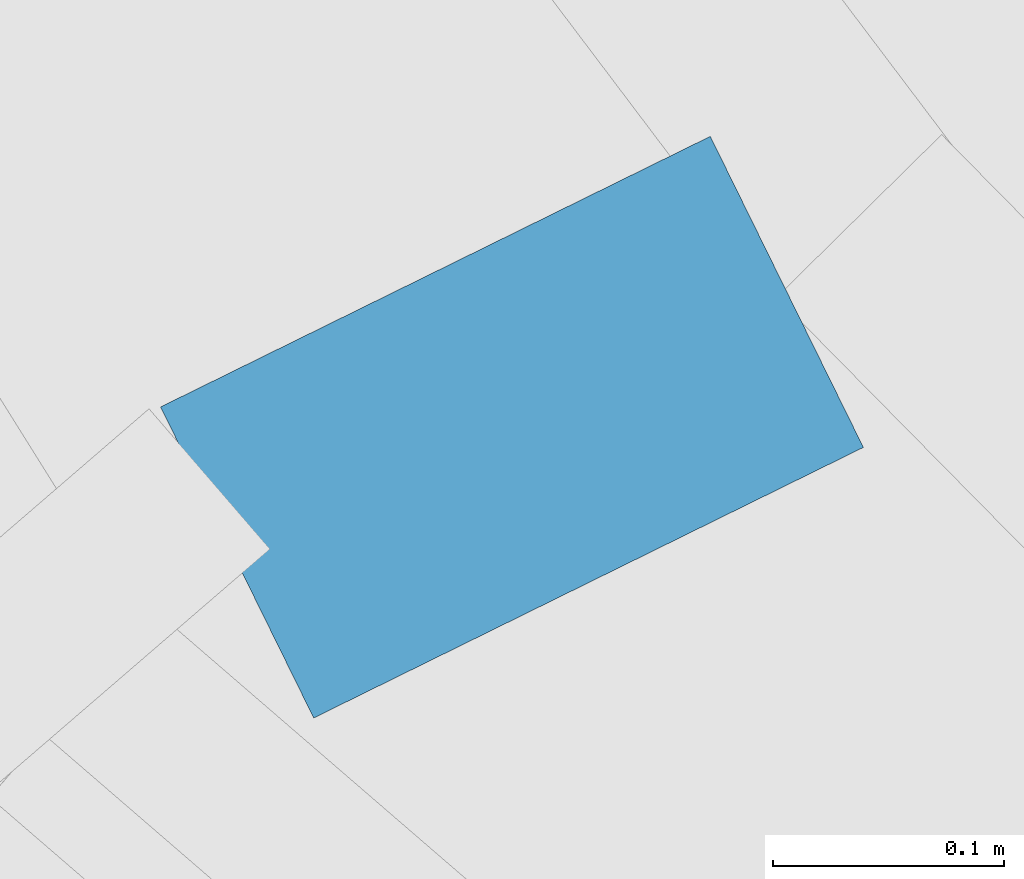
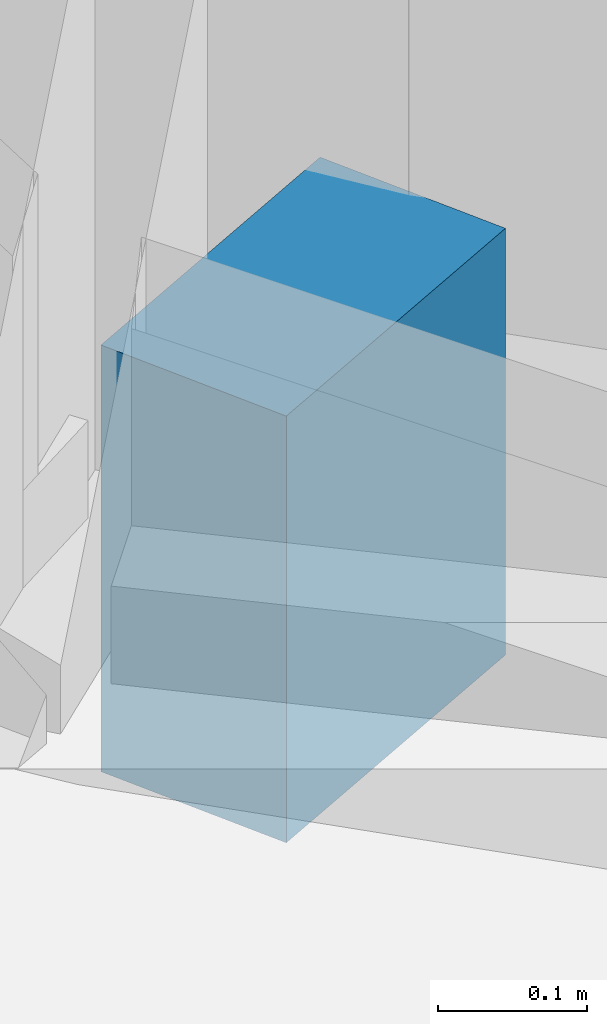
# One storey, part 17 of 29: 1 discrete accessory.
"""IFC4 building model written with IfcOpenShell, lengths in metres."""

from ifc_helpers import new_model, si_unit, direction, frame, origin, origin_2d, place, context, subcontext, project, spatial, rectangle, extrude, material, type_object, element, save


model = new_model("IFC4")

# Units and contexts
model_context = context("Model", 3, precision=1e-05, world=origin(), true_north=direction((0.0, 1.0)))
body_context = subcontext(model_context, "Body", "Model", "MODEL_VIEW")
ifc_project = project(units=[si_unit("LENGTHUNIT", "METRE"), si_unit("AREAUNIT", "SQUARE_METRE"), si_unit("VOLUMEUNIT", "CUBIC_METRE"), si_unit("PLANEANGLEUNIT", "RADIAN"), si_unit("MASSUNIT", "GRAM", prefix="KILO")], contexts=[model_context])

# Site, building, storey
site_placement = place(None, origin())
site = spatial("IfcSite", under=ifc_project, at=site_placement, CompositionType="ELEMENT")
building_placement = place(site_placement, origin())
building = spatial("IfcBuilding", under=site, at=building_placement, Name="Ghaith Harvest Tower", CompositionType="ELEMENT")
storey_placement = place(building_placement, origin())
storey = spatial("IfcBuildingStorey", under=building, at=storey_placement, Name="L00", CompositionType="ELEMENT", Elevation=0.0)

# Discrete accessory
ifc_material = material(Name="Stainless steel grade 1.4401", Category="steel")
discrete_accessory_type = type_object("IfcDiscreteAccessoryType", Name="CURTAIN WALL BRACKET 265", PredefinedType="BRACKET", material=ifc_material)
discrete_accessory_placement = place(storey_placement, frame((-36.73681640625, -18.08251953125, -0.25), z_axis=(0.0, 0.0, 1.0), x_axis=(-0.897201221415, -0.441621974421, 0.0)))
element("IfcDiscreteAccessory", 1, at=discrete_accessory_placement, inside=storey, type_object=discrete_accessory_type, Name="CW-P bracket 3 bay 12 L00", PredefinedType="BRACKET", context=body_context, shape_type="SweptSolid", body=[
    extrude(rectangle(XDim=0.264892578125, YDim=0.14990234375, at=origin_2d()), origin(), (0.0, 0.0, 1.0), 0.35009765625),
])

save(model, "model.ifc")
